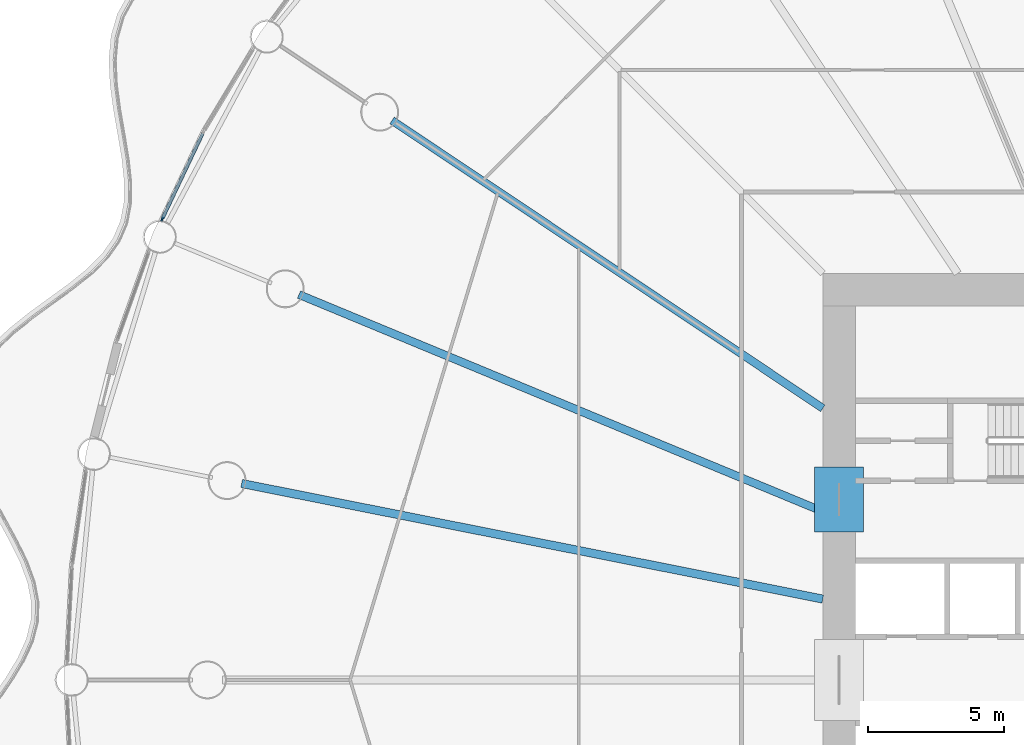
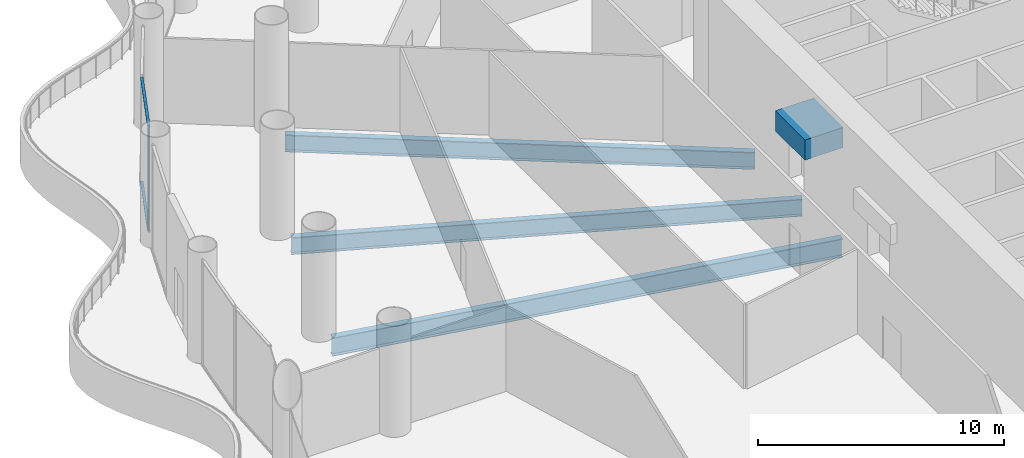
# One storey, part 9 of 37: 4 beams, 3 members, 1 element without a shape of its own.
"""IFC4 building model written with IfcOpenShell, lengths in metres."""

from ifc_helpers import new_model, si_unit, direction, frame, origin, origin_2d, place, context, subcontext, project, spatial, rectangle, i_section, extrude, material, material_profile, profile_set, type_object, element, aggregate, save


model = new_model("IFC4")

# Units and contexts
model_context = context("Model", 3, precision=1e-05, world=origin(), true_north=direction((0.0, 1.0)))
body_context = subcontext(model_context, "Body", "Model", "MODEL_VIEW")
ifc_project = project(units=[si_unit("LENGTHUNIT", "METRE"), si_unit("AREAUNIT", "SQUARE_METRE"), si_unit("VOLUMEUNIT", "CUBIC_METRE"), si_unit("PLANEANGLEUNIT", "RADIAN"), si_unit("MASSUNIT", "GRAM", prefix="KILO")], contexts=[model_context])

# Site, building, storey
site_placement = place(None, origin())
site = spatial("IfcSite", under=ifc_project, at=site_placement, CompositionType="ELEMENT")
building_placement = place(site_placement, origin())
building = spatial("IfcBuilding", under=site, at=building_placement, Name="Corvane Civic Tower", CompositionType="ELEMENT")
storey_placement = place(building_placement, frame((0.0, 0.0, 11.5)))
storey = spatial("IfcBuildingStorey", under=building, at=storey_placement, Name="L02", CompositionType="ELEMENT", Elevation=11.5)

# Beams
ifc_material_1 = material(Name="Concrete C80/95", Category="concrete")
ifc_material_profile_1 = material_profile(ifc_material_1, rectangle(XDim=1.800048828125, YDim=1.0, at=origin_2d()), Name="COUPLING BEAM 1800X1000")
ifc_profile_set_1 = profile_set([ifc_material_profile_1], Name="Concrete C80/95")
beam_type_1 = type_object("IfcBeamType", Name="COUPLING BEAM COUPLING BEAM 1800X1000", PredefinedType="BEAM", material=ifc_profile_set_1)
beam_1_placement = place(storey_placement, frame((-14.39990234375, 5.449951171875, 2.60009765625), z_axis=(0.0, 1.0, 0.0), x_axis=(-1.0, 0.0, 0.0)))
element("IfcBeam", 1, at=beam_1_placement, inside=storey, type_object=beam_type_1, Name="BM-L02-cpl-CW-WN", PredefinedType="BEAM", context=body_context, shape_type="SweptSolid", body=[
    extrude(rectangle(XDim=1.800048828125, YDim=1.0, at=origin_2d()), origin(), (0.0, 0.0, 1.0), 2.400146484375),
])
ifc_material_2 = material(Name="Steel ASTM A992 Gr 50", Category="steel")
ifc_material_profile_2 = material_profile(ifc_material_2, i_section(OverallWidth=0.2919921875, OverallDepth=0.845703125, WebThickness=0.015380859375, FlangeThickness=0.0244140625, at=origin_2d()), Name="W33X141")
ifc_profile_set_2 = profile_set([ifc_material_profile_2], Name="Steel ASTM A992 Gr 50")
beam_type_2 = type_object("IfcBeamType", Name="FLOOR GIRDER W33X141", PredefinedType="BEAM", material=ifc_profile_set_2)
beam_2_placement = place(storey_placement, frame((-15.0, 6.213134765625, -0.722900390625), z_axis=(-0.923875834355, 0.382692360381, 0.0), x_axis=(-0.382692360381, -0.923875834355, 0.0)))
element("IfcBeam", 2, at=beam_2_placement, inside=storey, type_object=beam_type_2, Name="BM-L02-G27", PredefinedType="BEAM", context=body_context, shape_type="SweptSolid", body=[
    extrude(i_section(OverallWidth=0.2919921875, OverallDepth=0.845703125, WebThickness=0.015380859375, FlangeThickness=0.0244140625, at=origin_2d()), origin(), (0.0, 0.0, 1.0), 20.9140625),
])
beam_3_placement = place(storey_placement, frame((-15.0, 10.022705078125, -0.722900390625), z_axis=(-0.831471985418, 0.555566681385, 0.0), x_axis=(-0.555566681385, -0.831471985418, 0.0)))
element("IfcBeam", 3, at=beam_3_placement, inside=storey, type_object=beam_type_2, Name="BM-L02-G28", PredefinedType="BEAM", context=body_context, shape_type="SweptSolid", body=[
    extrude(i_section(OverallWidth=0.2919921875, OverallDepth=0.845703125, WebThickness=0.015380859375, FlangeThickness=0.0244140625, at=origin_2d()), origin(), (0.0, 0.0, 1.0), 19.109619140625),
])
ifc_material_3 = material(Name="Steel ASTM A992 Gr 50", Category="steel")
ifc_material_profile_3 = material_profile(ifc_material_3, i_section(OverallWidth=0.3046875, OverallDepth=0.911865234375, WebThickness=0.015869140625, FlangeThickness=0.02392578125, at=origin_2d()), Name="W36X150")
ifc_profile_set_3 = profile_set([ifc_material_profile_3], Name="Steel ASTM A992 Gr 50")
beam_type_3 = type_object("IfcBeamType", Name="FLOOR GIRDER W36X150", PredefinedType="BEAM", material=ifc_profile_set_3)
beam_4_placement = place(storey_placement, frame((-15.0, 2.983642578125, -0.755859375), z_axis=(-0.980785499679, 0.195089219638, 0.0), x_axis=(-0.195089219638, -0.980785499679, 0.0)))
element("IfcBeam", 4, at=beam_4_placement, inside=storey, type_object=beam_type_3, Name="BM-L02-G26", PredefinedType="BEAM", context=body_context, shape_type="SweptSolid", body=[
    extrude(i_section(OverallWidth=0.3046875, OverallDepth=0.911865234375, WebThickness=0.015869140625, FlangeThickness=0.02392578125, at=origin_2d()), origin(), (0.0, 0.0, 1.0), 21.856201171875),
])

# Curtain wall, members
ifc_material_4 = material(Name="Aluminium and glass", Category="aluminium")
curtain_wall_type = type_object("IfcCurtainWallType", Name="PODIUM-CW-P-RUN", PredefinedType="NOTDEFINED", material=ifc_material_4)
curtain_wall_placement = place(storey_placement, origin())
curtain_wall = element("IfcCurtainWall", 5, at=curtain_wall_placement, inside=storey, type_object=curtain_wall_type, Name="PODI run L02-drum-27A", PredefinedType="NOTDEFINED")
ifc_material_5 = material(Name="Anodised aluminium bronze", Category="aluminium")
ifc_material_profile_4 = material_profile(ifc_material_5, rectangle(XDim=0.06005859375, YDim=0.159912109375, at=origin_2d()), Name="AL 60x160")
ifc_profile_set_4 = profile_set([ifc_material_profile_4], Name="Anodised aluminium bronze")
member_type_1 = type_object("IfcMemberType", Name="PODIUM-CWP-MULLION-60x160", PredefinedType="MULLION", material=ifc_profile_set_4)
member_1_placement = place(storey_placement, frame((-39.36767578125, 17.00439453125, 0.0), z_axis=(0.0, 0.0, 1.0), x_axis=(-0.903990222454, 0.42755312852, 0.0)))
member_1 = element("IfcMember", 6, at=member_1_placement, type_object=member_type_1, Name="CW-P mullion 1", PredefinedType="MULLION", context=body_context, shape_type="SweptSolid", body=[
    extrude(rectangle(XDim=0.06005859375, YDim=0.159912109375, at=origin_2d()), origin(), (0.0, 0.0, 1.0), 5.199951171875),
])
ifc_material_6 = material(Name="Anodised aluminium bronze", Category="aluminium")
ifc_material_profile_5 = material_profile(ifc_material_6, rectangle(XDim=0.1201171875, YDim=0.06005859375, at=origin_2d()), Name="AL 120x60")
ifc_profile_set_5 = profile_set([ifc_material_profile_5], Name="Anodised aluminium bronze")
member_type_2 = type_object("IfcMemberType", Name="PODIUM-CWP-TRANSOM-60x120", PredefinedType="USERDEFINED", material=ifc_profile_set_5)
member_2_placement = place(storey_placement, frame((-39.354736328125, 17.031494140625, 0.030029296875), z_axis=(0.427546343166, 0.903993431638, 0.0), x_axis=(-0.903993431638, 0.427546343166, 0.0)))
member_2 = element("IfcMember", 7, at=member_2_placement, type_object=member_type_2, Name="CW-P transom 1.1", ObjectType="TRANSOM", PredefinedType="USERDEFINED", context=body_context, shape_type="SweptSolid", body=[
    extrude(rectangle(XDim=0.1201171875, YDim=0.06005859375, at=origin_2d()), origin(), (0.0, 0.0, 1.0), 3.4599609375),
])
member_3_placement = place(storey_placement, frame((-39.354736328125, 17.031494140625, 5.169921875), z_axis=(0.427546343166, 0.903993431638, 0.0), x_axis=(-0.903993431638, 0.427546343166, 0.0)))
member_3 = element("IfcMember", 8, at=member_3_placement, type_object=member_type_2, Name="CW-P transom 1.2", ObjectType="TRANSOM", PredefinedType="USERDEFINED", context=body_context, shape_type="SweptSolid", body=[
    extrude(rectangle(XDim=0.1201171875, YDim=0.06005859375, at=origin_2d()), origin(), (0.0, 0.0, 1.0), 3.4599609375),
])
aggregate(curtain_wall, [member_1, member_2, member_3])

save(model, "model.ifc")
